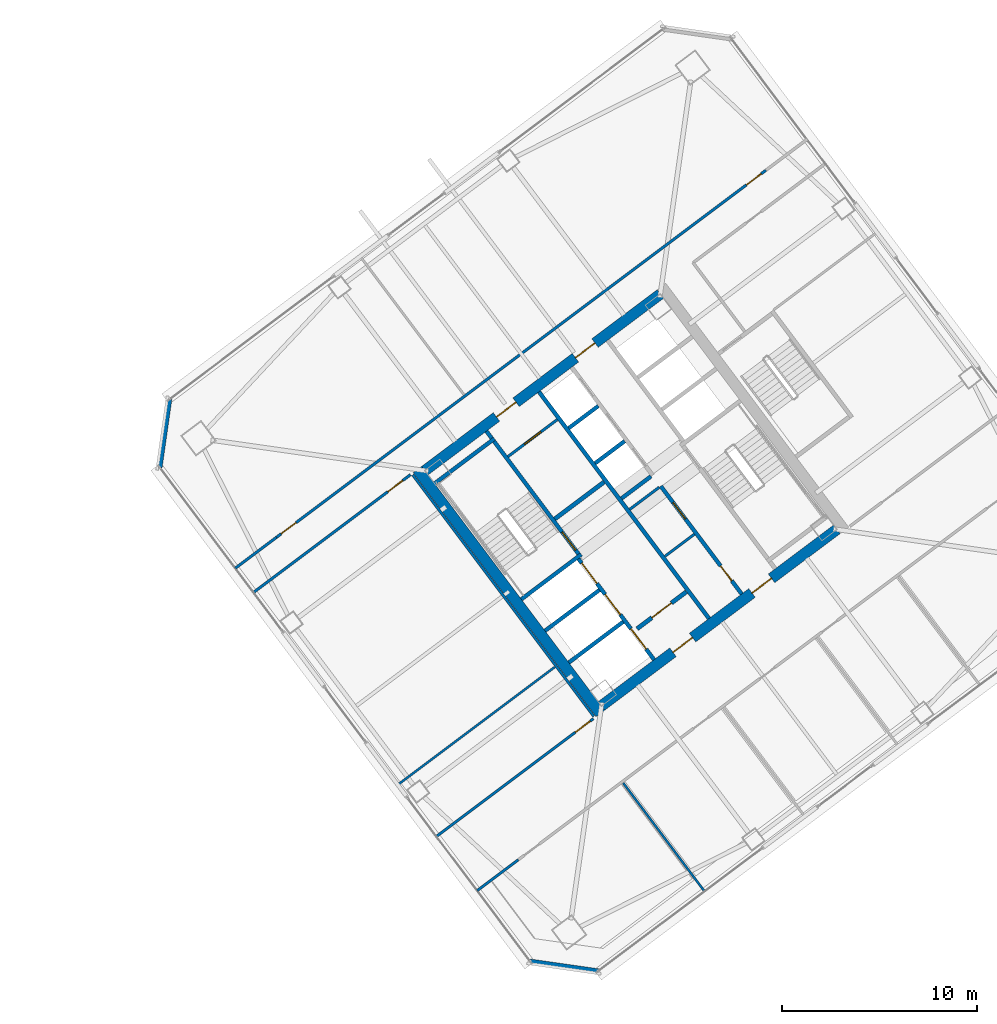
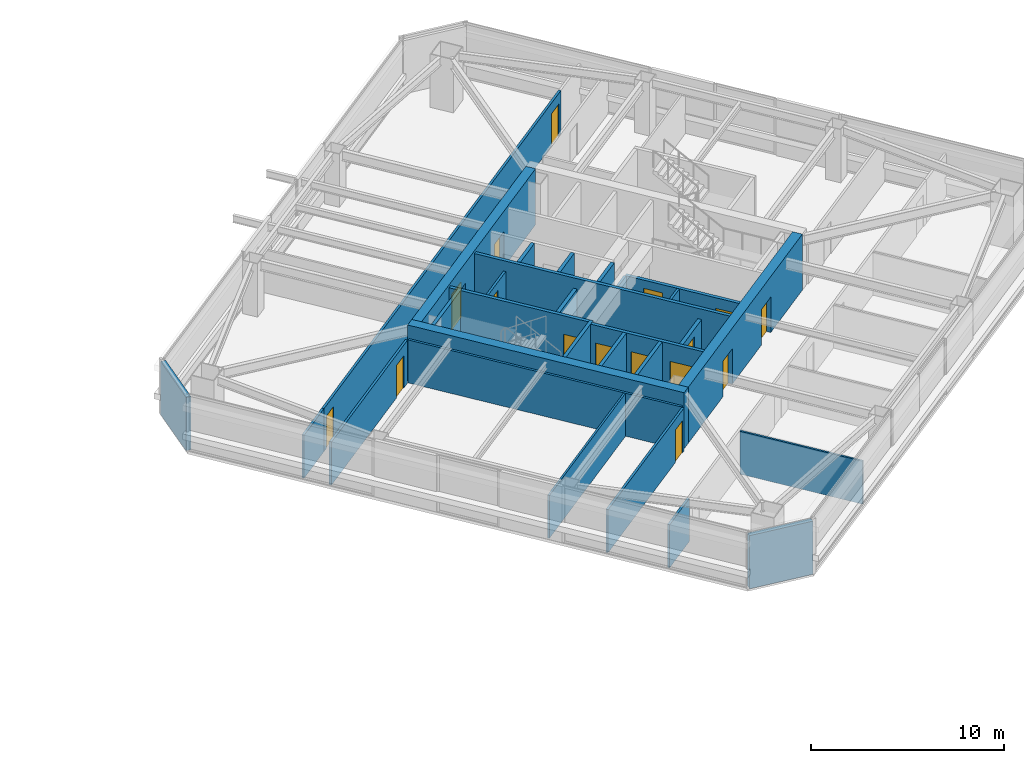
# One storey, part 34 of 42: 29 walls, 16 doors, 16 openings.
"""IFC4 building model written with IfcOpenShell, lengths in metres."""

import ifcopenshell
import ifcopenshell.guid

model = None  # the IFC model being written
_history = None  # IfcOwnerHistory: only IFC2X3 demands one
_inside = {}  # id of a spatial element -> (the spatial element, [elements in it])
_under = {}  # id of a project, library or spatial element -> (it, [spatial elements below it])
_declared = {}  # id of a project -> (the project, [libraries it declares])
_typed = {}  # id of a type object -> (the type object, [elements of that type])
_made_of = {}  # id of a material, layer set ... -> (it, [elements and type objects made of it])


def new_model(schema):
    """Start an empty IFC model of exactly this schema.

    Asked for "IFC4X3", IfcOpenShell would pick the latest addendum, in which some entities
    have other attributes; the version numbers below select the first issue.
    IFC2X3 requires an IfcOwnerHistory on every rooted entity: one is made here for all.
    """
    global model, _history
    if schema == "IFC4X3":
        model = ifcopenshell.file(schema_version=(4, 3, 0, 0))
    else:
        model = ifcopenshell.file(schema=schema)
    _inside.clear()
    _under.clear()
    _declared.clear()
    _typed.clear()
    _made_of.clear()
    _history = None
    if model.schema == "IFC2X3":
        org = make("IfcOrganization", Name="unknown")
        user = make(
            "IfcPersonAndOrganization",
            ThePerson=make("IfcPerson", FamilyName="unknown"),
            TheOrganization=org,
        )
        app = make(
            "IfcApplication",
            ApplicationDeveloper=org,
            Version="unknown",
            ApplicationFullName="unknown",
            ApplicationIdentifier="unknown",
        )
        _history = make(
            "IfcOwnerHistory",
            OwningUser=user,
            OwningApplication=app,
            ChangeAction="ADDED",
            CreationDate=0,
        )
    return model


def make(cls, **values):
    """One entity of the class cls with the attributes given. An attribute that is None is left unset."""
    return model.create_entity(
        cls, **{name: value for name, value in values.items() if value is not None}
    )


def rooted(cls, **values):
    """An entity with a GlobalId (a new one), such as an element, a storey or a relation."""
    return make(cls, GlobalId=ifcopenshell.guid.new(), OwnerHistory=_history, **values)


def si_unit(unit_type, name, prefix=None):
    """IfcSIUnit, for example si_unit("LENGTHUNIT", "METRE", prefix="MILLI")."""
    return make("IfcSIUnit", UnitType=unit_type, Prefix=prefix, Name=name)


def assignment(units):
    """IfcUnitAssignment: the units of a project."""
    return None if units is None else make("IfcUnitAssignment", Units=units)


def point(xyz):
    """IfcCartesianPoint."""
    return None if xyz is None else make("IfcCartesianPoint", Coordinates=xyz)


def direction(xyz):
    """IfcDirection."""
    return None if xyz is None else make("IfcDirection", DirectionRatios=xyz)


def frame(location, z_axis=None, x_axis=None):
    """IfcAxis2Placement3D, a coordinate frame: its origin and axes. An axis left out is left unset."""
    return make(
        "IfcAxis2Placement3D",
        Location=point(location),
        Axis=direction(z_axis),
        RefDirection=direction(x_axis),
    )


def frame_2d(location, x_axis=None):
    """IfcAxis2Placement2D, a coordinate frame in the plane: its origin and x axis."""
    return make(
        "IfcAxis2Placement2D", Location=point(location), RefDirection=direction(x_axis)
    )


def origin():
    """The frame at (0, 0, 0) with its axes left unset."""
    return frame((0.0, 0.0, 0.0))


def place(relative_to, where):
    """IfcLocalPlacement: puts the frame where relative to a parent placement (None: the world)."""
    return make(
        "IfcLocalPlacement", PlacementRelTo=relative_to, RelativePlacement=where
    )


def context(
    kind, dimensions, precision=None, world=None, true_north=None, identifier=None
):
    """IfcGeometricRepresentationContext, for example the 3D "Model" context."""
    return make(
        "IfcGeometricRepresentationContext",
        ContextIdentifier=identifier,
        ContextType=kind,
        CoordinateSpaceDimension=dimensions,
        Precision=precision,
        WorldCoordinateSystem=world,
        TrueNorth=true_north,
    )


def subcontext(parent, identifier, kind, view, scale=None):
    """IfcGeometricRepresentationSubContext, for example "Body" below "Model"."""
    return make(
        "IfcGeometricRepresentationSubContext",
        ContextIdentifier=identifier,
        ContextType=kind,
        ParentContext=parent,
        TargetScale=scale,
        TargetView=view,
    )


def project(units=None, contexts=None):
    """IfcProject with its units and contexts."""
    return rooted(
        "IfcProject",
        Name="project",
        RepresentationContexts=contexts,
        UnitsInContext=assignment(units),
    )


def spatial(cls, under=None, at=None, **own):
    """A site, building, storey or space (cls), placed at a placement, below another one or the project."""
    s = rooted(cls, ObjectPlacement=at, **own)
    if under is not None:
        _under.setdefault(under.id(), (under, []))[1].append(s)
    return s


def profile(cls, at=None, kind="AREA", **sizes):
    """A parametric profile (cls). Its sizes go by their IFC names, for example OverallWidth=200.0."""
    return make(cls, ProfileType=kind, Position=at, **sizes)


def rectangle(**sizes):
    """IfcRectangleProfileDef."""
    return profile("IfcRectangleProfileDef", **sizes)


def extrude(swept, where, along, depth):
    """IfcExtrudedAreaSolid: the profile swept, set in the frame where, extruded along a direction by depth."""
    return make(
        "IfcExtrudedAreaSolid",
        SweptArea=swept,
        Position=where,
        ExtrudedDirection=direction(along),
        Depth=depth,
    )


def shape(context_of_items, identifier, shape_type, items):
    """IfcShapeRepresentation: the items that make up one representation, for example the "Body"."""
    return make(
        "IfcShapeRepresentation",
        ContextOfItems=context_of_items,
        RepresentationIdentifier=identifier,
        RepresentationType=shape_type,
        Items=items,
    )


def material(Name=None, Category=None):
    """IfcMaterial."""
    return make("IfcMaterial", Name=Name, Category=Category)


def layer(
    of_material, thickness, ventilated=None, Name=None, Category=None, Priority=None
):
    """IfcMaterialLayer: one layer of a wall or slab, of a material (None: an air gap)."""
    return make(
        "IfcMaterialLayer",
        Material=of_material,
        LayerThickness=thickness,
        IsVentilated=ventilated,
        Name=Name,
        Category=Category,
        Priority=Priority,
    )


def layer_set(layers, Name=None):
    """IfcMaterialLayerSet."""
    return make("IfcMaterialLayerSet", MaterialLayers=layers, LayerSetName=Name)


def made_of(thing, what):
    """Note that an element or type object is made of a material, layer set ...; save() writes the relation."""
    if what is not None:
        _made_of.setdefault(what.id(), (what, []))[1].append(thing)
    return thing


def type_object(cls, material=None, **own):
    """A type object (cls), such as IfcWallType, which elements share."""
    return made_of(rooted(cls, **own), material)


def element(
    cls,
    number,
    at=None,
    inside=None,
    cuts=None,
    type_object=None,
    material=None,
    context=None,
    identifier="Body",
    shape_type=None,
    held_by="IfcProductDefinitionShape",
    body=None,
    shapes=None,
    **own,
):
    """One element of the class cls, such as IfcWall. Its Tag is "e" and its number.

    at: its placement. inside: the storey or other place that contains it. cuts: it is an
    opening in that element (IfcRelVoidsElement). A single representation is given by context,
    identifier, shape_type and body (its items); several are given by shapes. held_by: the class
    of the entity that holds the representations. save() writes the other relations.
    """
    e = rooted(cls, Tag="e%d" % number, ObjectPlacement=at, **own)
    if body is not None:
        shapes = [shape(context, identifier, shape_type, body)]
    if shapes is not None:
        e.Representation = make(held_by, Representations=shapes)
    if inside is not None:
        _inside.setdefault(inside.id(), (inside, []))[1].append(e)
    if cuts is not None:
        rooted(
            "IfcRelVoidsElement", RelatingBuildingElement=cuts, RelatedOpeningElement=e
        )
    if type_object is not None:
        _typed.setdefault(type_object.id(), (type_object, []))[1].append(e)
    return made_of(e, material)


def fill(opening, filler):
    """IfcRelFillsElement: the door or window that sits in an opening."""
    return rooted(
        "IfcRelFillsElement",
        RelatingOpeningElement=opening,
        RelatedBuildingElement=filler,
    )


def aggregate(whole, parts):
    """IfcRelAggregates: a whole, such as a stair, and the parts it consists of."""
    return rooted("IfcRelAggregates", RelatingObject=whole, RelatedObjects=parts)


def save(model, path):
    """Write the relations noted so far, then the file.

    IfcRelAggregates (storeys below a building ...), IfcRelContainedInSpatialStructure (elements
    in a storey), IfcRelDefinesByType, IfcRelAssociatesMaterial and IfcRelDeclares: one each for
    every whole, place, type object, material and project.
    """
    for whole, parts in _under.values():
        aggregate(whole, parts)
    for where, things in _inside.values():
        rooted(
            "IfcRelContainedInSpatialStructure",
            RelatedElements=things,
            RelatingStructure=where,
        )
    for kind, things in _typed.values():
        rooted("IfcRelDefinesByType", RelatedObjects=things, RelatingType=kind)
    for what, things in _made_of.values():
        rooted("IfcRelAssociatesMaterial", RelatedObjects=things, RelatingMaterial=what)
    for by, libraries in _declared.values():
        rooted("IfcRelDeclares", RelatingContext=by, RelatedDefinitions=libraries)
    model.write(path)


model = new_model("IFC4")

# Units and contexts
model_context = context("Model", 3, precision=1e-05, world=origin(), true_north=direction((0.0, 1.0)))
body_context = subcontext(model_context, "Body", "Model", "MODEL_VIEW")
ifc_project = project(units=[si_unit("LENGTHUNIT", "METRE"), si_unit("AREAUNIT", "SQUARE_METRE"), si_unit("VOLUMEUNIT", "CUBIC_METRE"), si_unit("PLANEANGLEUNIT", "RADIAN"), si_unit("MASSUNIT", "GRAM", prefix="KILO")], contexts=[model_context])

# Site, building, storey
site_placement = place(None, origin())
site = spatial("IfcSite", under=ifc_project, at=site_placement, CompositionType="ELEMENT")
building_placement = place(site_placement, origin())
building = spatial("IfcBuilding", under=site, at=building_placement, Name="Tashvorn Skyway Center", CompositionType="ELEMENT")
storey_placement = place(building_placement, frame((0.0, 0.0, 121.5)))
storey = spatial("IfcBuildingStorey", under=building, at=storey_placement, Name="L32", CompositionType="ELEMENT", Elevation=121.5)

# Wall
ifc_material_1 = material(Name="Concrete C60/75", Category="concrete")
ifc_layer_1 = layer(ifc_material_1, 0.550048828125)
ifc_layer_set_1 = layer_set([ifc_layer_1], Name="Concrete C60/75")
wall_type_1 = type_object("IfcWallType", Name="WALL-CORE-550", PredefinedType="SHEAR", material=ifc_layer_set_1)
wall_1_placement = place(storey_placement, frame((112.43603515625, 21.076904296875, 0.0), z_axis=(0.0, 0.0, 1.0), x_axis=(-0.600005007985, 0.799996243986, 0.0)))
element("IfcWall", 1, at=wall_1_placement, inside=storey, type_object=wall_type_1, Name="Tower 2 L32 West Core Shear Wall", PredefinedType="SHEAR", context=body_context, shape_type="SweptSolid", body=[
    extrude(rectangle(XDim=15.60009765625, YDim=0.550048828125, at=frame_2d((7.800048828125, 0.0))), origin(), (0.0, 0.0, 1.0), 3.550048828125),
])

# Wall, openings, doors
wall_2_placement = place(storey_placement, frame((124.5390625, 30.498046875, 0.0), z_axis=(0.0, 0.0, 1.0), x_axis=(-0.799998054672, -0.600002593761, 0.0)))
wall_2 = element("IfcWall", 2, at=wall_2_placement, inside=storey, type_object=wall_type_1, Name="Tower 2 L32 South Core Shear Wall", PredefinedType="SHEAR", context=body_context, shape_type="SweptSolid", body=[
    extrude(rectangle(XDim=15.06005859375, YDim=0.550048828125, at=frame_2d((7.530029296875, 0.0))), origin(), (0.0, 0.0, 1.0), 3.550048828125),
])
opening_1_placement = place(wall_2_placement, frame((9.22998046875, 0.0, 0.0)))
opening_1 = element("IfcOpeningElement", 3, at=opening_1_placement, cuts=wall_2, Name="Opening D-FFL-1250", PredefinedType="OPENING", context=body_context, shape_type="SweptSolid", body=[
    extrude(rectangle(XDim=1.25, YDim=2.25, at=frame_2d((0.625, 1.125))), frame((0.0, 0.284912109375, 0.0), z_axis=(0.0, -1.0, 0.0), x_axis=(1.0, 0.0, 0.0)), (0.0, 0.0, 1.0), 0.570068359375),
])
opening_2_placement = place(wall_2_placement, frame((4.179931640625, 0.0, 0.0)))
opening_2 = element("IfcOpeningElement", 4, at=opening_2_placement, cuts=wall_2, Name="Opening D-FFL-1250", PredefinedType="OPENING", context=body_context, shape_type="SweptSolid", body=[
    extrude(rectangle(XDim=1.25, YDim=2.25, at=frame_2d((0.625, 1.125))), frame((0.0, 0.284912109375, 0.0), z_axis=(0.0, -1.0, 0.0), x_axis=(1.0, 0.0, 0.0)), (0.0, 0.0, 1.0), 0.570068359375),
])
ifc_material_2 = material(Name="Hollow galvanized steel fire door assembly", Category="steel")
door_type_1 = type_object("IfcDoorType", Name="DOOR-FFL-1250", OperationType="NOTDEFINED", PredefinedType="DOOR", material=ifc_material_2)
door_1_placement = place(opening_1_placement, origin())
door_1 = element("IfcDoor", 5, at=door_1_placement, inside=storey, type_object=door_type_1, Name="Tower 2 L32 Core South Firefighting Exit Door", OperationType="SINGLE_SWING_LEFT", OverallHeight=2.25, OverallWidth=1.25, PredefinedType="DOOR", context=body_context, shape_type="SweptSolid", body=[
    extrude(rectangle(XDim=1.25, YDim=2.25, at=frame_2d((0.625, 1.125))), frame((0.0, 0.02490234375, 0.0), z_axis=(0.0, -1.0, 0.0), x_axis=(1.0, 0.0, 0.0)), (0.0, 0.0, 1.0), 0.050048828125),
])
fill(opening_1, door_1)
door_2_placement = place(opening_2_placement, origin())
door_2 = element("IfcDoor", 6, at=door_2_placement, inside=storey, type_object=door_type_1, Name="Tower 2 L32 Core South Lift Lobby Door", OperationType="SINGLE_SWING_RIGHT", OverallHeight=2.25, OverallWidth=1.25, PredefinedType="DOOR", context=body_context, shape_type="SweptSolid", body=[
    extrude(rectangle(XDim=1.25, YDim=2.25, at=frame_2d((0.625, 1.125))), frame((0.0, 0.02490234375, 0.0), z_axis=(0.0, -1.0, 0.0), x_axis=(1.0, 0.0, 0.0)), (0.0, 0.0, 1.0), 0.050048828125),
])
fill(opening_2, door_2)

wall_3_placement = place(storey_placement, frame((103.4609375, 33.501953125, 0.0), z_axis=(0.0, 0.0, 1.0), x_axis=(0.799998054672, 0.600002593761, 0.0)))
wall_3 = element("IfcWall", 7, at=wall_3_placement, inside=storey, type_object=wall_type_1, Name="Tower 2 L32 North Core Shear Wall", PredefinedType="SHEAR", context=body_context, shape_type="SweptSolid", body=[
    extrude(rectangle(XDim=15.06005859375, YDim=0.550048828125, at=frame_2d((7.530029296875, 0.0))), origin(), (0.0, 0.0, 1.0), 3.550048828125),
])
opening_3_placement = place(wall_3_placement, frame((4.580078125, 0.0, 0.0)))
opening_3 = element("IfcOpeningElement", 8, at=opening_3_placement, cuts=wall_3, Name="Opening D-FFL-1250", PredefinedType="OPENING", context=body_context, shape_type="SweptSolid", body=[
    extrude(rectangle(XDim=1.25, YDim=2.25, at=frame_2d((0.625, 1.125))), frame((0.0, 0.284912109375, 0.0), z_axis=(0.0, -1.0, 0.0), x_axis=(1.0, 0.0, 0.0)), (0.0, 0.0, 1.0), 0.570068359375),
])
opening_4_placement = place(wall_3_placement, frame((9.6298828125, 0.0, 0.0)))
opening_4 = element("IfcOpeningElement", 9, at=opening_4_placement, cuts=wall_3, Name="Opening D-FFL-1250", PredefinedType="OPENING", context=body_context, shape_type="SweptSolid", body=[
    extrude(rectangle(XDim=1.25, YDim=2.25, at=frame_2d((0.625, 1.125))), frame((0.0, 0.284912109375, 0.0), z_axis=(0.0, -1.0, 0.0), x_axis=(1.0, 0.0, 0.0)), (0.0, 0.0, 1.0), 0.570068359375),
])
door_3_placement = place(opening_3_placement, origin())
door_3 = element("IfcDoor", 10, at=door_3_placement, inside=storey, type_object=door_type_1, Name="Tower 2 L32 Core North Service Lobby Door", OperationType="SINGLE_SWING_LEFT", OverallHeight=2.25, OverallWidth=1.25, PredefinedType="DOOR", context=body_context, shape_type="SweptSolid", body=[
    extrude(rectangle(XDim=1.25, YDim=2.25, at=frame_2d((0.625, 1.125))), frame((0.0, 0.02490234375, 0.0), z_axis=(0.0, -1.0, 0.0), x_axis=(1.0, 0.0, 0.0)), (0.0, 0.0, 1.0), 0.050048828125),
])
fill(opening_3, door_3)
door_4_placement = place(opening_4_placement, origin())
door_4 = element("IfcDoor", 11, at=door_4_placement, inside=storey, type_object=door_type_1, Name="Tower 2 L32 Core North Lift Lobby Door", OperationType="SINGLE_SWING_RIGHT", OverallHeight=2.25, OverallWidth=1.25, PredefinedType="DOOR", context=body_context, shape_type="SweptSolid", body=[
    extrude(rectangle(XDim=1.25, YDim=2.25, at=frame_2d((0.625, 1.125))), frame((0.0, 0.02490234375, 0.0), z_axis=(0.0, -1.0, 0.0), x_axis=(1.0, 0.0, 0.0)), (0.0, 0.0, 1.0), 0.050048828125),
])
fill(opening_4, door_4)

# Walls
ifc_material_3 = material(Name="Precast concrete C40/50", Category="concrete")
ifc_layer_2 = layer(ifc_material_3, 0.280029296875)
ifc_layer_set_2 = layer_set([ifc_layer_2], Name="Precast concrete C40/50")
wall_type_2 = type_object("IfcWallType", Name="WALL-EXT-280", PredefinedType="SOLIDWALL", material=ifc_layer_set_2)
for number, where, z_axis, x_axis, name in (
    (12, (112.340087890625, 7.8798828125, 0.0), (0.0, 0.0, 1.0), (-0.989949493661, 0.141421356237, 0.0), "Tower 2 L32 SW Precast Chamfer Wall"),
    (13, (89.8798828125, 33.659912109375, 0.0), (0.0, 0.0, 1.0), (0.141421356237, 0.989949493661, 0.0), "Tower 2 L32 NW Precast Chamfer Wall"),
):
    element("IfcWall", number, at=place(storey_placement, frame(where, z_axis=z_axis, x_axis=x_axis)), inside=storey, type_object=wall_type_2, Name=name, PredefinedType="SOLIDWALL", context=body_context, shape_type="SweptSolid", body=[
        extrude(rectangle(XDim=3.53564453125, YDim=0.280029296875, at=frame_2d((1.767822265625, 0.0))), origin(), (0.0, 0.0, 1.0), 3.3701171875),
    ])
ifc_material_4 = material(Name="Concrete C40/50", Category="concrete")
ifc_layer_3 = layer(ifc_material_4, 0.219970703125)
ifc_layer_set_3 = layer_set([ifc_layer_3], Name="Concrete C40/50")
wall_type_3 = type_object("IfcWallType", Name="WALL-FFL-220", PredefinedType="SOLIDWALL", material=ifc_layer_set_3)
wall_4_placement = place(storey_placement, frame((110.10400390625, 31.028076171875, 0.0), z_axis=(0.0, 0.0, 1.0), x_axis=(0.800018601094, 0.59997519774, 0.0)))
element("IfcWall", 14, at=wall_4_placement, inside=storey, type_object=wall_type_3, Name="Tower 2 L32 Firefighting Lobby North Wall", PredefinedType="SOLIDWALL", context=body_context, shape_type="SweptSolid", body=[
    extrude(rectangle(XDim=3.14990234375, YDim=0.219970703125, at=frame_2d((1.574951171875, 0.0))), origin(), (0.0, 0.0, 1.0), 2.722900390625),
])

# Wall, opening, door
wall_5_placement = place(storey_placement, frame((114.31591796875, 25.412109375, 0.0), z_axis=(0.0, 0.0, 1.0), x_axis=(0.800018601094, 0.59997519774, 0.0)))
wall_5 = element("IfcWall", 15, at=wall_5_placement, inside=storey, type_object=wall_type_3, Name="Tower 2 L32 Firefighting Lobby South Wall", PredefinedType="SOLIDWALL", context=body_context, shape_type="SweptSolid", body=[
    extrude(rectangle(XDim=3.14990234375, YDim=0.219970703125, at=frame_2d((1.574951171875, 0.0))), origin(), (0.0, 0.0, 1.0), 2.722900390625),
])
opening_5_placement = place(wall_5_placement, frame((0.949951171875, 0.0, 0.0)))
opening_5 = element("IfcOpeningElement", 16, at=opening_5_placement, cuts=wall_5, Name="Opening D-FFL-1250", PredefinedType="OPENING", context=body_context, shape_type="SweptSolid", body=[
    extrude(rectangle(XDim=1.25, YDim=2.25, at=frame_2d((0.625, 1.125))), frame((0.0, 0.119873046875, 0.0), z_axis=(0.0, -1.0, 0.0), x_axis=(1.0, 0.0, 0.0)), (0.0, 0.0, 1.0), 0.239990234375),
])
door_5_placement = place(opening_5_placement, origin())
door_5 = element("IfcDoor", 17, at=door_5_placement, inside=storey, type_object=door_type_1, Name="Tower 2 L32 Firefighting Lobby Egress Door", OperationType="SINGLE_SWING_LEFT", OverallHeight=2.25, OverallWidth=1.25, PredefinedType="DOOR", context=body_context, shape_type="SweptSolid", body=[
    extrude(rectangle(XDim=1.25, YDim=2.25, at=frame_2d((0.625, 1.125))), frame((0.0, 0.02490234375, 0.0), z_axis=(0.0, -1.0, 0.0), x_axis=(1.0, 0.0, 0.0)), (0.0, 0.0, 1.0), 0.050048828125),
])
fill(opening_5, door_5)

# Walls
ifc_material_5 = material(Name="Gypsum board on cold-formed steel stud framing", Category="steel")
ifc_layer_4 = layer(ifc_material_5, 0.110107421875)
ifc_layer_set_4 = layer_set([ifc_layer_4], Name="Gypsum board on cold-formed steel stud framing")
wall_type_4 = type_object("IfcWallType", Name="WALL-PART-110", PredefinedType="PARTITIONING", material=ifc_layer_set_4)
wall_6_placement = place(storey_placement, frame((117.76806640625, 11.97607421875, 0.0), z_axis=(0.0, 0.0, 1.0), x_axis=(-0.6, 0.8, 0.0)))
element("IfcWall", 18, at=wall_6_placement, inside=storey, type_object=wall_type_4, Name="Tower 2 L32 South Suite Partition 1", PredefinedType="PARTITIONING", context=body_context, shape_type="SweptSolid", body=[
    extrude(rectangle(XDim=6.929931640625, YDim=0.110107421875, at=frame_2d((3.46484375, 0.0))), origin(), (0.0, 0.0, 1.0), 2.722900390625),
])
wall_7_placement = place(storey_placement, frame((102.075927734375, 17.431884765625, 0.0), z_axis=(0.0, 0.0, 1.0), x_axis=(0.799991245945, 0.600011671896, 0.0)))
element("IfcWall", 19, at=wall_7_placement, inside=storey, type_object=wall_type_4, Name="Tower 2 L32 West Mid Partition", PredefinedType="PARTITIONING", context=body_context, shape_type="SweptSolid", body=[
    extrude(rectangle(XDim=10.0400390625, YDim=0.110107421875, at=frame_2d((5.02001953125, 0.0))), origin(), (0.0, 0.0, 1.0), 2.722900390625),
])

# Wall, openings, doors
ifc_layer_5 = layer(ifc_material_5, 0.135009765625)
ifc_layer_set_5 = layer_set([ifc_layer_5], Name="Gypsum board on cold-formed steel stud framing")
wall_type_5 = type_object("IfcWallType", Name="WALL-PART-135", PredefinedType="PARTITIONING", material=ifc_layer_set_5)
wall_8_placement = place(storey_placement, frame((95.8701171875, 30.090087890625, 0.0), z_axis=(0.0, 0.0, 1.0), x_axis=(0.799997191971, 0.600003744021, 0.0)))
wall_8 = element("IfcWall", 20, at=wall_8_placement, inside=storey, type_object=wall_type_5, Name="Tower 2 L32 North Suite Wall", PredefinedType="PARTITIONING", context=body_context, shape_type="SweptSolid", body=[
    extrude(rectangle(XDim=31.2998046875, YDim=0.135009765625, at=frame_2d((15.64990234375, 0.0))), origin(), (0.0, 0.0, 1.0), 2.722900390625),
])
opening_6_placement = place(wall_8_placement, frame((0.300048828125, 0.0, 0.0)))
opening_6 = element("IfcOpeningElement", 21, at=opening_6_placement, cuts=wall_8, Name="Opening D-INT-950", PredefinedType="OPENING", context=body_context, shape_type="SweptSolid", body=[
    extrude(rectangle(XDim=0.949951171875, YDim=2.050048828125, at=frame_2d((0.47509765625, 1.02490234375))), frame((0.0, 0.077392578125, 0.0), z_axis=(0.0, -1.0, 0.0), x_axis=(1.0, 0.0, 0.0)), (0.0, 0.0, 1.0), 0.155029296875),
])
opening_7_placement = place(wall_8_placement, frame((30.050048828125, 0.0, 0.0)))
opening_7 = element("IfcOpeningElement", 22, at=opening_7_placement, cuts=wall_8, Name="Opening D-INT-950", PredefinedType="OPENING", context=body_context, shape_type="SweptSolid", body=[
    extrude(rectangle(XDim=0.949951171875, YDim=2.050048828125, at=frame_2d((0.47509765625, 1.02490234375))), frame((0.0, 0.077392578125, 0.0), z_axis=(0.0, -1.0, 0.0), x_axis=(1.0, 0.0, 0.0)), (0.0, 0.0, 1.0), 0.155029296875),
])
ifc_material_6 = material(Name="Solid-core architectural oak veneer door")
door_type_2 = type_object("IfcDoorType", Name="DOOR-INT-950", OperationType="NOTDEFINED", PredefinedType="DOOR", material=ifc_material_6)
door_6_placement = place(opening_6_placement, origin())
door_6 = element("IfcDoor", 23, at=door_6_placement, inside=storey, type_object=door_type_2, Name="Tower 2 L32 Executive Study Lounge Door", OperationType="SINGLE_SWING_RIGHT", OverallHeight=2.050048828125, OverallWidth=0.949951171875, PredefinedType="DOOR", context=body_context, shape_type="SweptSolid", body=[
    extrude(rectangle(XDim=0.949951171875, YDim=2.050048828125, at=frame_2d((0.47509765625, 1.02490234375))), frame((0.0, 0.02490234375, 0.0), z_axis=(0.0, -1.0, 0.0), x_axis=(1.0, 0.0, 0.0)), (0.0, 0.0, 1.0), 0.050048828125),
])
fill(opening_6, door_6)
door_7_placement = place(opening_7_placement, origin())
door_7 = element("IfcDoor", 24, at=door_7_placement, inside=storey, type_object=door_type_2, Name="Tower 2 L32 Executive Study Lounge Door", OperationType="SINGLE_SWING_LEFT", OverallHeight=2.050048828125, OverallWidth=0.949951171875, PredefinedType="DOOR", context=body_context, shape_type="SweptSolid", body=[
    extrude(rectangle(XDim=0.949951171875, YDim=2.050048828125, at=frame_2d((0.47509765625, 1.02490234375))), frame((0.0, 0.02490234375, 0.0), z_axis=(0.0, -1.0, 0.0), x_axis=(1.0, 0.0, 0.0)), (0.0, 0.0, 1.0), 0.050048828125),
])
fill(opening_7, door_7)

# Walls
wall_9_placement = place(storey_placement, frame((93.76611328125, 28.511962890625, 0.0), z_axis=(0.0, 0.0, 1.0), x_axis=(0.799977721118, 0.600029704027, 0.0)))
element("IfcWall", 25, at=wall_9_placement, inside=storey, type_object=wall_type_5, Name="Tower 2 L32 North-West Suite South Wall", PredefinedType="PARTITIONING", context=body_context, shape_type="SweptSolid", body=[
    extrude(rectangle(XDim=2.630126953125, YDim=0.135009765625, at=frame_2d((1.31494140625, 0.0))), origin(), (0.0, 0.0, 1.0), 2.722900390625),
])
wall_10_placement = place(storey_placement, frame((106.137939453125, 12.01611328125, 0.0), z_axis=(0.0, 0.0, 1.0), x_axis=(0.80002227902, 0.599970293491, 0.0)))
element("IfcWall", 26, at=wall_10_placement, inside=storey, type_object=wall_type_5, Name="Tower 2 L32 South-West Suite North Wall", PredefinedType="PARTITIONING", context=body_context, shape_type="SweptSolid", body=[
    extrude(rectangle(XDim=2.6298828125, YDim=0.135009765625, at=frame_2d((1.31494140625, 0.0))), origin(), (0.0, 0.0, 1.0), 2.722900390625),
])
wall_11_placement = place(storey_placement, frame((112.10400390625, 20.927978515625, 0.0), z_axis=(0.0, 0.0, 1.0), x_axis=(-0.599994940075, 0.800003794918, 0.0)))
element("IfcWall", 27, at=wall_11_placement, inside=storey, type_object=wall_type_5, Name="Tower 2 L32 West Inner Suite Wall", PredefinedType="PARTITIONING", context=body_context, shape_type="SweptSolid", body=[
    extrude(rectangle(XDim=15.43994140625, YDim=0.135009765625, at=frame_2d((7.719970703125, 0.0))), origin(), (0.0, 0.0, 1.0), 2.722900390625),
])

# Wall, opening, door
wall_12_placement = place(storey_placement, frame((102.72802734375, 33.2958984375, 0.0), z_axis=(0.0, 0.0, 1.0), x_axis=(-0.800002918023, -0.599996109283, 0.0)))
wall_12 = element("IfcWall", 28, at=wall_12_placement, inside=storey, type_object=wall_type_5, Name="Tower 2 L32 West Suite North Wall", PredefinedType="PARTITIONING", context=body_context, shape_type="SweptSolid", body=[
    extrude(rectangle(XDim=10.0400390625, YDim=0.135009765625, at=frame_2d((5.02001953125, 0.0))), origin(), (0.0, 0.0, 1.0), 2.722900390625),
])
opening_8_placement = place(wall_12_placement, frame((0.5, 0.0, 0.0)))
opening_8 = element("IfcOpeningElement", 29, at=opening_8_placement, cuts=wall_12, Name="Opening D-INT-950", PredefinedType="OPENING", context=body_context, shape_type="SweptSolid", body=[
    extrude(rectangle(XDim=0.949951171875, YDim=2.050048828125, at=frame_2d((0.47509765625, 1.02490234375))), frame((0.0, 0.077392578125, 0.0), z_axis=(0.0, -1.0, 0.0), x_axis=(1.0, 0.0, 0.0)), (0.0, 0.0, 1.0), 0.155029296875),
])
door_8_placement = place(opening_8_placement, origin())
door_8 = element("IfcDoor", 30, at=door_8_placement, inside=storey, type_object=door_type_2, Name="Tower 2 L32 Reading Lounge Door", OperationType="SINGLE_SWING_LEFT", OverallHeight=2.050048828125, OverallWidth=0.949951171875, PredefinedType="DOOR", context=body_context, shape_type="SweptSolid", body=[
    extrude(rectangle(XDim=0.949951171875, YDim=2.050048828125, at=frame_2d((0.47509765625, 1.02490234375))), frame((0.0, 0.02490234375, 0.0), z_axis=(0.0, -1.0, 0.0), x_axis=(1.0, 0.0, 0.0)), (0.0, 0.0, 1.0), 0.050048828125),
])
fill(opening_8, door_8)

wall_13_placement = place(storey_placement, frame((104.055908203125, 14.7919921875, 0.0), z_axis=(0.0, 0.0, 1.0), x_axis=(0.800002918023, 0.599996109283, 0.0)))
wall_13 = element("IfcWall", 31, at=wall_13_placement, inside=storey, type_object=wall_type_5, Name="Tower 2 L32 West Suite South Wall", PredefinedType="PARTITIONING", context=body_context, shape_type="SweptSolid", body=[
    extrude(rectangle(XDim=10.0400390625, YDim=0.135009765625, at=frame_2d((5.02001953125, 0.0))), origin(), (0.0, 0.0, 1.0), 2.722900390625),
])
opening_9_placement = place(wall_13_placement, frame((8.8798828125, 0.0, 0.0)))
opening_9 = element("IfcOpeningElement", 32, at=opening_9_placement, cuts=wall_13, Name="Opening D-INT-950", PredefinedType="OPENING", context=body_context, shape_type="SweptSolid", body=[
    extrude(rectangle(XDim=0.949951171875, YDim=2.050048828125, at=frame_2d((0.47509765625, 1.02490234375))), frame((0.0, 0.077392578125, 0.0), z_axis=(0.0, -1.0, 0.0), x_axis=(1.0, 0.0, 0.0)), (0.0, 0.0, 1.0), 0.155029296875),
])
door_9_placement = place(opening_9_placement, origin())
door_9 = element("IfcDoor", 33, at=door_9_placement, inside=storey, type_object=door_type_2, Name="Tower 2 L32 Public Restroom Door", OperationType="SINGLE_SWING_RIGHT", OverallHeight=2.050048828125, OverallWidth=0.949951171875, PredefinedType="DOOR", context=body_context, shape_type="SweptSolid", body=[
    extrude(rectangle(XDim=0.949951171875, YDim=2.050048828125, at=frame_2d((0.47509765625, 1.02490234375))), frame((0.0, 0.02490234375, 0.0), z_axis=(0.0, -1.0, 0.0), x_axis=(1.0, 0.0, 0.0)), (0.0, 0.0, 1.0), 0.050048828125),
])
fill(opening_9, door_9)

ifc_layer_6 = layer(ifc_material_5, 0.135009765625)
ifc_layer_set_6 = layer_set([ifc_layer_6], Name="Gypsum board on cold-formed steel stud framing")
wall_type_6 = type_object("IfcWallType", Name="WALL-RATED-135", PredefinedType="PARTITIONING", material=ifc_layer_set_6)
wall_14_placement = place(storey_placement, frame((107.7099609375, 34.219970703125, 0.0), z_axis=(0.0, 0.0, 1.0), x_axis=(0.799981399002, 0.60002480053, 0.0)))
wall_14 = element("IfcWall", 34, at=wall_14_placement, inside=storey, type_object=wall_type_6, Name="Tower 2 L32 Core Service Lobby Wall", PredefinedType="PARTITIONING", context=body_context, shape_type="SweptSolid", body=[
    extrude(rectangle(XDim=3.150146484375, YDim=0.135009765625, at=frame_2d((1.5751953125, 0.0))), origin(), (0.0, 0.0, 1.0), 2.722900390625),
])
opening_10_placement = place(wall_14_placement, frame((1.050048828125, 0.0, 0.0)))
opening_10 = element("IfcOpeningElement", 35, at=opening_10_placement, cuts=wall_14, Name="Opening D-RT-1050", PredefinedType="OPENING", context=body_context, shape_type="SweptSolid", body=[
    extrude(rectangle(XDim=1.050048828125, YDim=2.199951171875, at=frame_2d((0.52490234375, 1.10009765625))), frame((0.0, 0.077392578125, 0.0), z_axis=(0.0, -1.0, 0.0), x_axis=(1.0, 0.0, 0.0)), (0.0, 0.0, 1.0), 0.155029296875),
])
door_type_3 = type_object("IfcDoorType", Name="DOOR-RATED-1050", OperationType="NOTDEFINED", PredefinedType="DOOR", material=ifc_material_2)
door_10_placement = place(opening_10_placement, origin())
door_10 = element("IfcDoor", 36, at=door_10_placement, inside=storey, type_object=door_type_3, Name="Tower 2 L32 Core Accessible WC Door", OperationType="SINGLE_SWING_LEFT", OverallHeight=2.199951171875, OverallWidth=1.050048828125, PredefinedType="DOOR", context=body_context, shape_type="SweptSolid", body=[
    extrude(rectangle(XDim=1.050048828125, YDim=2.199951171875, at=frame_2d((0.52490234375, 1.10009765625))), frame((0.0, 0.02490234375, 0.0), z_axis=(0.0, -1.0, 0.0), x_axis=(1.0, 0.0, 0.0)), (0.0, 0.0, 1.0), 0.050048828125),
])
fill(opening_10, door_10)

# Walls
for number, where, z_axis, x_axis, name in (
    (37, (113.946044921875, 31.52197265625, 0.0), (0.0, 0.0, 1.0), (0.8, 0.6, 0.0), "Tower 2 L32 Core Room Partition"),
    (38, (115.74609375, 29.1220703125, 0.0), (0.0, 0.0, 1.0), (0.8, 0.6, 0.0), "Tower 2 L32 Freed Core Partition"),
):
    element("IfcWall", number, at=place(storey_placement, frame(where, z_axis=z_axis, x_axis=x_axis)), inside=storey, type_object=wall_type_6, Name=name, PredefinedType="PARTITIONING", context=body_context, shape_type="SweptSolid", body=[
        extrude(rectangle(XDim=1.8798828125, YDim=0.135009765625, at=frame_2d((0.93994140625, 0.0))), origin(), (0.0, 0.0, 1.0), 2.722900390625),
    ])
ifc_layer_7 = layer(ifc_material_4, 0.199951171875)
ifc_layer_set_7 = layer_set([ifc_layer_7], Name="Concrete C40/50")
wall_type_7 = type_object("IfcWallType", Name="WALL-SHAFT-200", PredefinedType="SOLIDWALL", material=ifc_layer_set_7)
for number, where, z_axis, x_axis, name in (
    (39, (110.825927734375, 23.681884765625, 0.0), (0.0, 0.0, 1.0), (0.8, 0.6, 0.0), "Tower 2 L32 FSAE Shaft Divider"),
    (40, (109.60791015625, 25.305908203125, 0.0), (0.0, 0.0, 1.0), (0.8, 0.6, 0.0), "Tower 2 L32 FSAE Shaft Divider"),
):
    element("IfcWall", number, at=place(storey_placement, frame(where, z_axis=z_axis, x_axis=x_axis)), inside=storey, type_object=wall_type_7, Name=name, PredefinedType="SOLIDWALL", context=body_context, shape_type="SweptSolid", body=[
        extrude(rectangle(XDim=3.480224609375, YDim=0.199951171875, at=frame_2d((1.740234375, 0.0))), origin(), (0.0, 0.0, 1.0), 3.3701171875),
    ])

# Wall, openings, doors
wall_15_placement = place(storey_placement, frame((119.669921875, 27.18994140625, 0.0), z_axis=(0.0, 0.0, 1.0), x_axis=(-0.599988677396, 0.800008491828, 0.0)))
wall_15 = element("IfcWall", 41, at=wall_15_placement, inside=storey, type_object=wall_type_7, Name="Tower 2 L32 Low-Rise Core Wall", PredefinedType="SOLIDWALL", context=body_context, shape_type="SweptSolid", body=[
    extrude(rectangle(XDim=6.89990234375, YDim=0.199951171875, at=frame_2d((3.449951171875, 0.0))), origin(), (0.0, 0.0, 1.0), 2.722900390625),
])
opening_11_placement = place(wall_15_placement, frame((0.85009765625, 0.0, 0.0)))
opening_11 = element("IfcOpeningElement", 42, at=opening_11_placement, cuts=wall_15, Name="Opening D-RT-950", PredefinedType="OPENING", context=body_context, shape_type="SweptSolid", body=[
    extrude(rectangle(XDim=0.949951171875, YDim=2.050048828125, at=frame_2d((0.47509765625, 1.02490234375))), frame((0.0, 0.10986328125, 0.0), z_axis=(0.0, -1.0, 0.0), x_axis=(1.0, 0.0, 0.0)), (0.0, 0.0, 1.0), 0.219970703125),
])
opening_12_placement = place(wall_15_placement, frame((4.800048828125, 0.0, 0.0)))
opening_12 = element("IfcOpeningElement", 43, at=opening_12_placement, cuts=wall_15, Name="Opening D-RT-1050", PredefinedType="OPENING", context=body_context, shape_type="SweptSolid", body=[
    extrude(rectangle(XDim=1.050048828125, YDim=2.199951171875, at=frame_2d((0.52490234375, 1.10009765625))), frame((0.0, 0.10986328125, 0.0), z_axis=(0.0, -1.0, 0.0), x_axis=(1.0, 0.0, 0.0)), (0.0, 0.0, 1.0), 0.219970703125),
])
door_11_placement = place(opening_12_placement, origin())
door_11 = element("IfcDoor", 44, at=door_11_placement, inside=storey, type_object=door_type_3, Name="Tower 2 L32 Freed Core Room Door", OperationType="SINGLE_SWING_RIGHT", OverallHeight=2.199951171875, OverallWidth=1.050048828125, PredefinedType="DOOR", context=body_context, shape_type="SweptSolid", body=[
    extrude(rectangle(XDim=1.050048828125, YDim=2.199951171875, at=frame_2d((0.52490234375, 1.10009765625))), frame((0.0, 0.02490234375, 0.0), z_axis=(0.0, -1.0, 0.0), x_axis=(1.0, 0.0, 0.0)), (0.0, 0.0, 1.0), 0.050048828125),
])
fill(opening_12, door_11)
door_type_4 = type_object("IfcDoorType", Name="DOOR-RATED-950", OperationType="NOTDEFINED", PredefinedType="DOOR", material=ifc_material_2)
door_12_placement = place(opening_11_placement, origin())
door_12 = element("IfcDoor", 45, at=door_12_placement, inside=storey, type_object=door_type_4, Name="Tower 2 L32 Core Print Room Door", OperationType="SINGLE_SWING_LEFT", OverallHeight=2.050048828125, OverallWidth=0.949951171875, PredefinedType="DOOR", context=body_context, shape_type="SweptSolid", body=[
    extrude(rectangle(XDim=0.949951171875, YDim=2.050048828125, at=frame_2d((0.47509765625, 1.02490234375))), frame((0.0, 0.02490234375, 0.0), z_axis=(0.0, -1.0, 0.0), x_axis=(1.0, 0.0, 0.0)), (0.0, 0.0, 1.0), 0.050048828125),
])
fill(opening_11, door_12)

# Walls
wall_16_placement = place(storey_placement, frame((113.52587890625, 32.08203125, 0.0), z_axis=(0.0, 0.0, 1.0), x_axis=(0.800046745961, 0.599937666993, 0.0)))
element("IfcWall", 46, at=wall_16_placement, inside=storey, type_object=wall_type_7, Name="Tower 2 L32 Mid-Rise Shaft Divider", PredefinedType="SOLIDWALL", context=body_context, shape_type="SweptSolid", body=[
    extrude(rectangle(XDim=1.880126953125, YDim=0.199951171875, at=frame_2d((0.93994140625, 0.0))), origin(), (0.0, 0.0, 1.0), 3.3701171875),
])
wall_17_placement = place(storey_placement, frame((112.176025390625, 33.882080078125, 0.0), z_axis=(0.0, 0.0, 1.0), x_axis=(0.8, 0.6, 0.0)))
element("IfcWall", 47, at=wall_17_placement, inside=storey, type_object=wall_type_7, Name="Tower 2 L32 Mid-Rise Shaft Divider", PredefinedType="SOLIDWALL", context=body_context, shape_type="SweptSolid", body=[
    extrude(rectangle(XDim=1.8798828125, YDim=0.199951171875, at=frame_2d((0.93994140625, 0.0))), origin(), (0.0, 0.0, 1.0), 3.3701171875),
])
wall_18_placement = place(storey_placement, frame((110.825927734375, 35.681884765625, 0.0), z_axis=(0.0, 0.0, 1.0), x_axis=(0.799984418148, 0.600020775241, 0.0)))
element("IfcWall", 48, at=wall_18_placement, inside=storey, type_object=wall_type_7, Name="Tower 2 L32 Mid-Rise Shaft Divider", PredefinedType="SOLIDWALL", context=body_context, shape_type="SweptSolid", body=[
    extrude(rectangle(XDim=1.880126953125, YDim=0.199951171875, at=frame_2d((0.93994140625, 0.0))), origin(), (0.0, 0.0, 1.0), 3.3701171875),
])

# Wall, opening, door
ifc_layer_8 = layer(ifc_material_4, 0.199951171875)
ifc_layer_set_8 = layer_set([ifc_layer_8], Name="Concrete C40/50")
wall_type_8 = type_object("IfcWallType", Name="WALL-STSHF-200", PredefinedType="SHEAR", material=ifc_layer_set_8)
wall_19_placement = place(storey_placement, frame((111.43994140625, 29.080078125, 0.0), z_axis=(0.0, 0.0, 1.0), x_axis=(-0.59999029481, 0.8000072788, 0.0)))
wall_19 = element("IfcWall", 49, at=wall_19_placement, inside=storey, type_object=wall_type_8, Name="Tower 2 L32 Stair 1 Enclosure Wall", PredefinedType="SHEAR", context=body_context, shape_type="SweptSolid", body=[
    extrude(rectangle(XDim=8.0498046875, YDim=0.199951171875, at=frame_2d((4.02490234375, 0.0))), origin(), (0.0, 0.0, 1.0), 3.3701171875),
])
opening_13_placement = place(wall_19_placement, frame((0.449951171875, 0.0, 0.0)))
opening_13 = element("IfcOpeningElement", 50, at=opening_13_placement, cuts=wall_19, Name="Opening D-ST-1150", PredefinedType="OPENING", context=body_context, shape_type="SweptSolid", body=[
    extrude(rectangle(XDim=1.14990234375, YDim=2.199951171875, at=frame_2d((0.574951171875, 1.10009765625))), frame((0.0, 0.10986328125, 0.0), z_axis=(0.0, -1.0, 0.0), x_axis=(1.0, 0.0, 0.0)), (0.0, 0.0, 1.0), 0.219970703125),
])
door_type_5 = type_object("IfcDoorType", Name="DOOR-STAIR-1150", OperationType="NOTDEFINED", PredefinedType="DOOR", material=ifc_material_2)
door_13_placement = place(opening_13_placement, origin())
door_13 = element("IfcDoor", 51, at=door_13_placement, inside=storey, type_object=door_type_5, Name="Tower 2 L32 Exit Stair 1 Door", OperationType="SINGLE_SWING_RIGHT", OverallHeight=2.199951171875, OverallWidth=1.14990234375, PredefinedType="DOOR", context=body_context, shape_type="SweptSolid", body=[
    extrude(rectangle(XDim=1.14990234375, YDim=2.199951171875, at=frame_2d((0.574951171875, 1.10009765625))), frame((0.0, 0.02490234375, 0.0), z_axis=(0.0, -1.0, 0.0), x_axis=(1.0, 0.0, 0.0)), (0.0, 0.0, 1.0), 0.050048828125),
])
fill(opening_13, door_13)

# Walls
for number, where, z_axis, x_axis, name in (
    (52, (108.39599609375, 26.922119140625, 0.0), (0.0, 0.0, 1.0), (0.800015298837, 0.599979601008, 0.0), "Tower 2 L32 Stair 1 South Wall"),
    (53, (103.9560546875, 32.842041015625, 0.0), (0.0, 0.0, 1.0), (0.800015298837, 0.599979601008, 0.0), "Tower 2 L32 Stair 1 North Wall"),
):
    element("IfcWall", number, at=place(storey_placement, frame(where, z_axis=z_axis, x_axis=x_axis)), inside=storey, type_object=wall_type_8, Name=name, PredefinedType="SHEAR", context=body_context, shape_type="SweptSolid", body=[
        extrude(rectangle(XDim=3.829833984375, YDim=0.199951171875, at=frame_2d((1.9150390625, 0.0))), origin(), (0.0, 0.0, 1.0), 3.3701171875),
    ])
wall_20_placement = place(storey_placement, frame((117.998046875, 25.93603515625, 0.0), z_axis=(0.0, 0.0, 1.0), x_axis=(-0.600002693989, 0.799997979501, 0.0)))
element("IfcWall", 54, at=wall_20_placement, inside=storey, type_object=wall_type_8, Name="Tower 2 L32 Firefighting Lobby East Smoke Barrier", PredefinedType="SHEAR", context=body_context, shape_type="SweptSolid", body=[
    extrude(rectangle(XDim=14.499755859375, YDim=0.199951171875, at=frame_2d((7.25, 0.0))), origin(), (0.0, 0.0, 1.0), 3.3701171875),
])

# Wall, openings, doors
wall_21_placement = place(storey_placement, frame((115.18994140625, 23.830078125, 0.0), z_axis=(0.0, 0.0, 1.0), x_axis=(-0.599993943644, 0.800004542231, 0.0)))
wall_21 = element("IfcWall", 55, at=wall_21_placement, inside=storey, type_object=wall_type_8, Name="Tower 2 L32 FSAE and Goods Shaft Front Wall", PredefinedType="SHEAR", context=body_context, shape_type="SweptSolid", body=[
    extrude(rectangle(XDim=6.449951171875, YDim=0.199951171875, at=frame_2d((3.22509765625, 0.0))), origin(), (0.0, 0.0, 1.0), 3.3701171875),
])
opening_14_placement = place(wall_21_placement, frame((4.875, 0.0, 0.0)))
opening_14 = element("IfcOpeningElement", 56, at=opening_14_placement, cuts=wall_21, Name="Opening LD-FF-T2-1-L32", PredefinedType="OPENING", context=body_context, shape_type="SweptSolid", body=[
    extrude(rectangle(XDim=1.300048828125, YDim=2.25, at=frame_2d((0.64990234375, 1.125))), frame((0.0, 0.10986328125, 0.0), z_axis=(0.0, -1.0, 0.0), x_axis=(1.0, 0.0, 0.0)), (0.0, 0.0, 1.0), 0.219970703125),
])
opening_15_placement = place(wall_21_placement, frame((2.875, 0.0, 0.0)))
opening_15 = element("IfcOpeningElement", 57, at=opening_15_placement, cuts=wall_21, Name="Opening LD-FF-T2-2-L32", PredefinedType="OPENING", context=body_context, shape_type="SweptSolid", body=[
    extrude(rectangle(XDim=1.300048828125, YDim=2.25, at=frame_2d((0.64990234375, 1.125))), frame((0.0, 0.10986328125, 0.0), z_axis=(0.0, -1.0, 0.0), x_axis=(1.0, 0.0, 0.0)), (0.0, 0.0, 1.0), 0.219970703125),
])
opening_16_placement = place(wall_21_placement, frame((0.675048828125, 0.0, 0.0)))
opening_16 = element("IfcOpeningElement", 58, at=opening_16_placement, cuts=wall_21, Name="Opening LD-GD-T2-1-L32", PredefinedType="OPENING", context=body_context, shape_type="SweptSolid", body=[
    extrude(rectangle(XDim=1.300048828125, YDim=2.25, at=frame_2d((0.64990234375, 1.125))), frame((0.0, 0.10986328125, 0.0), z_axis=(0.0, -1.0, 0.0), x_axis=(1.0, 0.0, 0.0)), (0.0, 0.0, 1.0), 0.219970703125),
])
ifc_material_7 = material(Name="Stainless steel heavy-duty landing door", Category="steel")
door_type_6 = type_object("IfcDoorType", Name="DOOR-LIFT-1300", OperationType="SLIDING_TO_LEFT", PredefinedType="DOOR", material=ifc_material_7)
door_14_placement = place(opening_14_placement, origin())
door_14 = element("IfcDoor", 59, at=door_14_placement, inside=storey, type_object=door_type_6, Name="Lift FF-T2-1 L32 Landing Door", OperationType="SLIDING_TO_LEFT", OverallHeight=2.25, OverallWidth=1.300048828125, PredefinedType="DOOR", context=body_context, shape_type="SweptSolid", body=[
    extrude(rectangle(XDim=1.300048828125, YDim=2.25, at=frame_2d((0.64990234375, 1.125))), frame((0.0, 0.02490234375, 0.0), z_axis=(0.0, -1.0, 0.0), x_axis=(1.0, 0.0, 0.0)), (0.0, 0.0, 1.0), 0.050048828125),
])
fill(opening_14, door_14)
door_15_placement = place(opening_15_placement, origin())
door_15 = element("IfcDoor", 60, at=door_15_placement, inside=storey, type_object=door_type_6, Name="Lift FF-T2-2 L32 Landing Door", OperationType="SLIDING_TO_LEFT", OverallHeight=2.25, OverallWidth=1.300048828125, PredefinedType="DOOR", context=body_context, shape_type="SweptSolid", body=[
    extrude(rectangle(XDim=1.300048828125, YDim=2.25, at=frame_2d((0.64990234375, 1.125))), frame((0.0, 0.02490234375, 0.0), z_axis=(0.0, -1.0, 0.0), x_axis=(1.0, 0.0, 0.0)), (0.0, 0.0, 1.0), 0.050048828125),
])
fill(opening_15, door_15)
door_16_placement = place(opening_16_placement, origin())
door_16 = element("IfcDoor", 61, at=door_16_placement, inside=storey, type_object=door_type_6, Name="Lift GD-T2-1 L32 Landing Door", OperationType="SLIDING_TO_LEFT", OverallHeight=2.25, OverallWidth=1.300048828125, PredefinedType="DOOR", context=body_context, shape_type="SweptSolid", body=[
    extrude(rectangle(XDim=1.300048828125, YDim=2.25, at=frame_2d((0.64990234375, 1.125))), frame((0.0, 0.02490234375, 0.0), z_axis=(0.0, -1.0, 0.0), x_axis=(1.0, 0.0, 0.0)), (0.0, 0.0, 1.0), 0.050048828125),
])
fill(opening_16, door_16)

save(model, "model.ifc")
